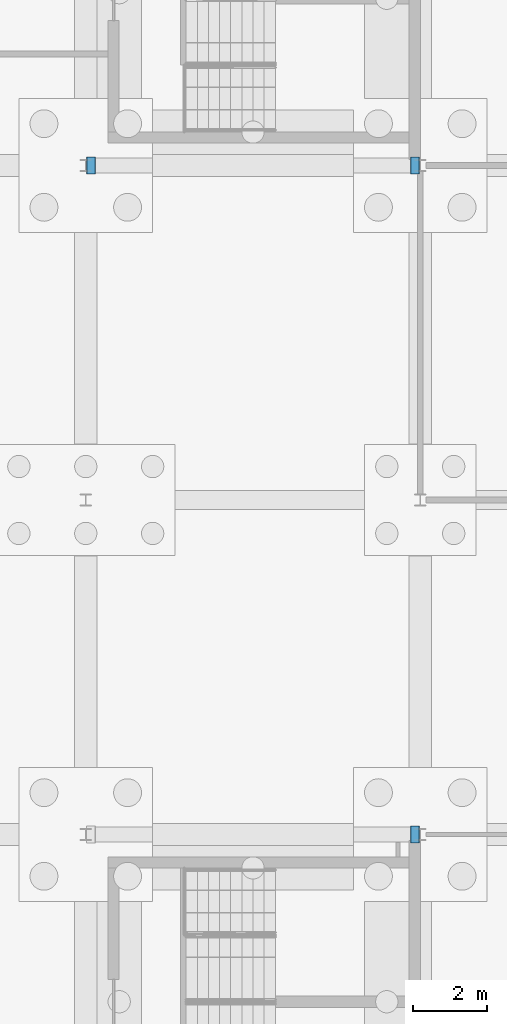
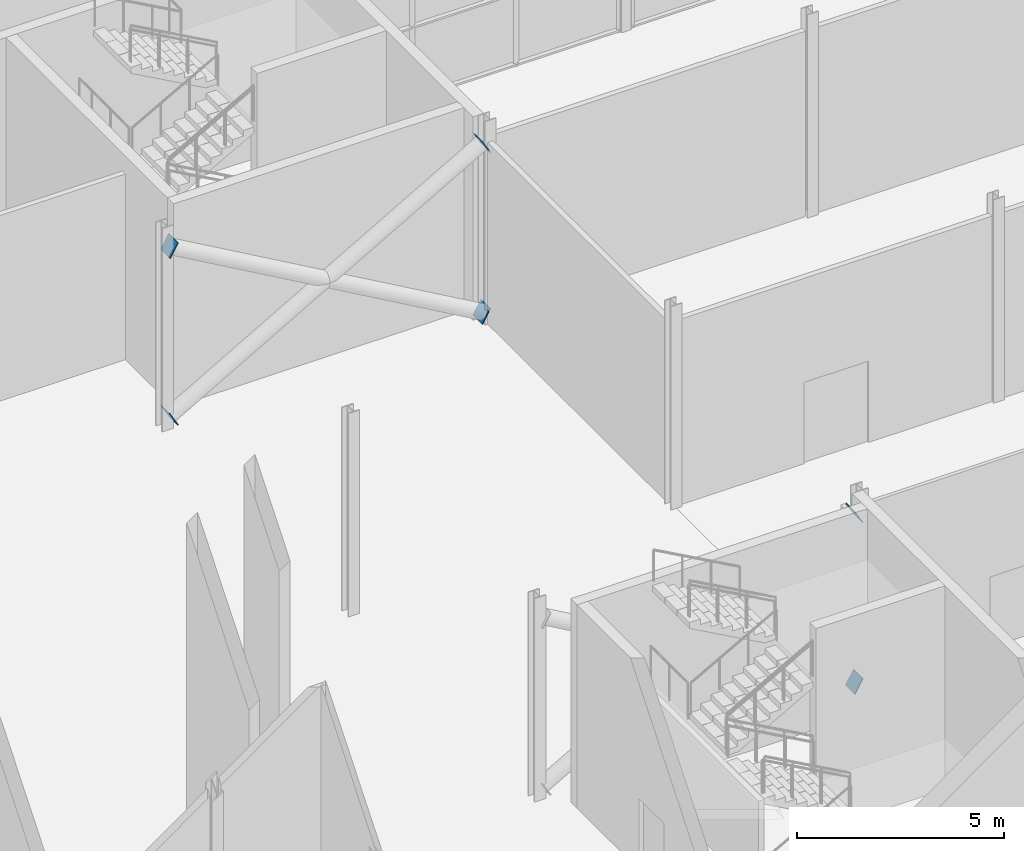
# One storey, part 126 of 139: 6 discrete accessories.
"""IFC4 building model written with IfcOpenShell, lengths in metres."""

from ifc_helpers import new_model, si_unit, direction, frame, origin, place, context, subcontext, project, spatial, polyline, outline, extrude, material, layer, layer_set, type_object, element, save


model = new_model("IFC4")

# Units and contexts
model_context = context("Model", 3, precision=1e-05, world=origin(), true_north=direction((0.0, 1.0)))
body_context = subcontext(model_context, "Body", "Model", "MODEL_VIEW")
ifc_project = project(units=[si_unit("LENGTHUNIT", "METRE"), si_unit("AREAUNIT", "SQUARE_METRE"), si_unit("VOLUMEUNIT", "CUBIC_METRE"), si_unit("PLANEANGLEUNIT", "RADIAN"), si_unit("MASSUNIT", "GRAM", prefix="KILO")], contexts=[model_context])

# Site, building, storey
site_placement = place(None, origin())
site = spatial("IfcSite", under=ifc_project, at=site_placement, CompositionType="ELEMENT")
building_placement = place(site_placement, origin())
building = spatial("IfcBuilding", under=site, at=building_placement, Name="Shorebreak Coast Museum", CompositionType="ELEMENT")
storey_placement = place(building_placement, origin())
storey = spatial("IfcBuildingStorey", under=building, at=storey_placement, Name="L00", CompositionType="ELEMENT", Elevation=0.0)

# Discrete accessories
ifc_material = material(Name="Steel Grade 300", Category="steel")
ifc_layer = layer(ifc_material, 0.02490234375)
ifc_layer_set = layer_set([ifc_layer], Name="Steel Grade 300")
discrete_accessory_type = type_object("IfcDiscreteAccessoryType", Name="End plate 450 x 450 x 25", PredefinedType="BRACKET", material=ifc_layer_set)
discrete_accessory_1_placement = place(storey_placement, frame((116.97900390625, 62.77490234375, 5.09228515625), z_axis=(0.867708330337, 0.0, 0.497073690174), x_axis=(0.0, 1.0, 0.0)))
element("IfcDiscreteAccessory", 1, at=discrete_accessory_1_placement, inside=storey, type_object=discrete_accessory_type, Name="End plate X-brace bay 02 L00 diagonal 1 end 2", PredefinedType="BRACKET", context=body_context, shape_type="SweptSolid", body=[
    extrude(outline(polyline([(0.0, 0.0), (0.4501953125, 0.0), (0.4501953125, 0.44989871103729967), (0.0, 0.44989871103729967), (0.0, 0.0)])), origin(), (0.0, 0.0, -1.0), 0.02490234375),
])
for number, where, z_axis, x_axis, name in (
    (2, (116.733642578125, 63.22509765625, 0.104736328125), (-0.867842316572, 0.0, 0.496839726237), (0.0, -1.0, 0.0), "End plate X-brace bay 02 L00 diagonal 2 end 1"),
    (3, (108.267333984375, 80.77490234375, 0.104736328125), (0.867842316572, 0.0, 0.496839726237), (0.0, 1.0, 0.0), "End plate X-brace bay 04 L00 diagonal 1 end 1"),
):
    element("IfcDiscreteAccessory", number, at=place(storey_placement, frame(where, z_axis=z_axis, x_axis=x_axis)), inside=storey, type_object=discrete_accessory_type, Name=name, PredefinedType="BRACKET", context=body_context, shape_type="SweptSolid", body=[
        extrude(outline(polyline([(0.0, 0.0), (0.4501953125, 0.0), (0.4501953125, 0.45011057025097745), (0.0, 0.45011057025097745), (0.0, 0.0)])), origin(), (0.0, 0.0, -1.0), 0.02490234375),
    ])
discrete_accessory_2_placement = place(storey_placement, frame((116.97900390625, 80.77490234375, 5.09228515625), z_axis=(0.867708330337, 0.0, 0.497073690174), x_axis=(0.0, 1.0, 0.0)))
element("IfcDiscreteAccessory", 4, at=discrete_accessory_2_placement, inside=storey, type_object=discrete_accessory_type, Name="End plate X-brace bay 04 L00 diagonal 1 end 2", PredefinedType="BRACKET", context=body_context, shape_type="SweptSolid", body=[
    extrude(outline(polyline([(0.0, 0.0), (0.4501953125, 0.0), (0.4501953125, 0.44989871103729967), (0.0, 0.44989871103729967), (0.0, 0.0)])), origin(), (0.0, 0.0, -1.0), 0.02490234375),
])
discrete_accessory_3_placement = place(storey_placement, frame((116.733642578125, 81.22509765625, 0.104736328125), z_axis=(-0.867842316572, 0.0, 0.496839726237), x_axis=(0.0, -1.0, 0.0)))
element("IfcDiscreteAccessory", 5, at=discrete_accessory_3_placement, inside=storey, type_object=discrete_accessory_type, Name="End plate X-brace bay 04 L00 diagonal 2 end 1", PredefinedType="BRACKET", context=body_context, shape_type="SweptSolid", body=[
    extrude(outline(polyline([(0.0, 0.0), (0.4501953125, 0.0), (0.4501953125, 0.45011057025097745), (0.0, 0.45011057025097745), (0.0, 0.0)])), origin(), (0.0, 0.0, -1.0), 0.02490234375),
])
discrete_accessory_4_placement = place(storey_placement, frame((108.02197265625, 81.22509765625, 5.09228515625), z_axis=(-0.867708330337, 0.0, 0.497073690174), x_axis=(0.0, -1.0, 0.0)))
element("IfcDiscreteAccessory", 6, at=discrete_accessory_4_placement, inside=storey, type_object=discrete_accessory_type, Name="End plate X-brace bay 04 L00 diagonal 2 end 2", PredefinedType="BRACKET", context=body_context, shape_type="SweptSolid", body=[
    extrude(outline(polyline([(0.0, 0.0), (0.4501953125, 0.0), (0.4501953125, 0.44989871103729967), (0.0, 0.44989871103729967), (0.0, 0.0)])), origin(), (0.0, 0.0, -1.0), 0.02490234375),
])

save(model, "model.ifc")
